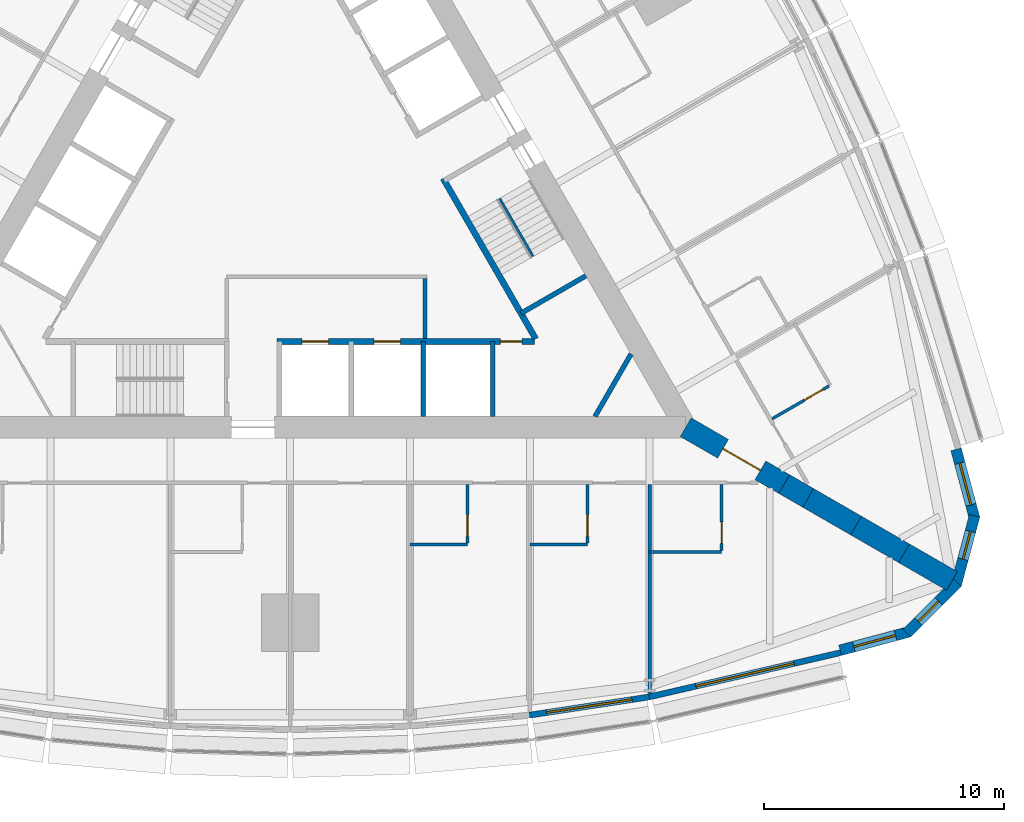
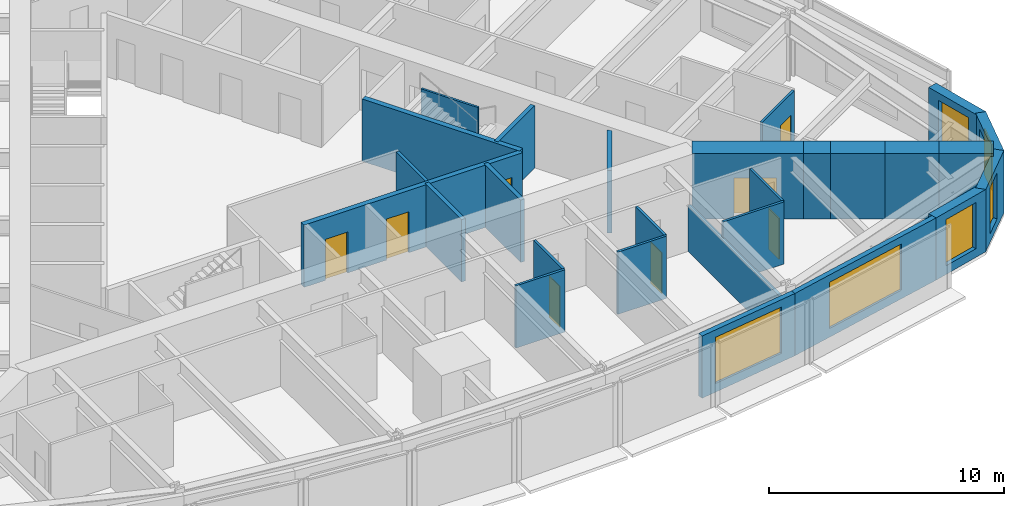
# One storey, part 10 of 14: 27 walls, 8 doors, 6 windows, 14 openings.
"""IFC4 building model written with IfcOpenShell, lengths in metres."""

from ifc_helpers import new_model, si_unit, direction, frame, frame_2d, origin, place, context, subcontext, project, spatial, polyline, rectangle, outline, extrude, material, layer, layer_set, type_object, element, fill, save


model = new_model("IFC4")

# Units and contexts
model_context = context("Model", 3, precision=1e-05, world=origin(), true_north=direction((0.0, 1.0)))
body_context = subcontext(model_context, "Body", "Model", "MODEL_VIEW")
ifc_project = project(units=[si_unit("LENGTHUNIT", "METRE"), si_unit("AREAUNIT", "SQUARE_METRE"), si_unit("VOLUMEUNIT", "CUBIC_METRE"), si_unit("PLANEANGLEUNIT", "RADIAN"), si_unit("MASSUNIT", "GRAM", prefix="KILO")], contexts=[model_context])

# Site, building, storey
site_placement = place(None, origin())
site = spatial("IfcSite", under=ifc_project, at=site_placement, CompositionType="ELEMENT")
building_placement = place(site_placement, origin())
building = spatial("IfcBuilding", under=site, at=building_placement, Name="Trikona Tower", CompositionType="ELEMENT")
storey_placement = place(building_placement, frame((0.0, 0.0, 86.300048828125)))
storey = spatial("IfcBuildingStorey", under=building, at=storey_placement, Name="L22", CompositionType="ELEMENT", Elevation=86.300048828125)

# Wall
ifc_material_1 = material(Name="Metal stud and cement board", Category="gypsum")
ifc_layer_1 = layer(ifc_material_1, 0.1201171875)
ifc_layer_set_1 = layer_set([ifc_layer_1], Name="Bathroom wall 120")
wall_type_1 = type_object("IfcWallType", Name="Bathroom wall 120", PredefinedType="PLUMBINGWALL", material=ifc_layer_set_1)
wall_1_placement = place(storey_placement, frame((5.0, -14.42626953125, 0.0), z_axis=(0.0, 0.0, 1.0), x_axis=(1.0, 0.0, 0.0)))
element("IfcWall", 1, at=wall_1_placement, inside=storey, type_object=wall_type_1, Name="Bathroom wall 2204", PredefinedType="PLUMBINGWALL", context=body_context, shape_type="SweptSolid", body=[
    extrude(rectangle(XDim=2.39990234375, YDim=0.1201171875, at=frame_2d((1.199951171875, 0.0))), origin(), (0.0, 0.0, 1.0), 3.23486328125),
])

# Wall, opening, door
wall_2_placement = place(storey_placement, frame((7.39990234375, -11.92626953125, 0.0), z_axis=(0.0, 0.0, 1.0), x_axis=(0.0, -1.0, 0.0)))
wall_2 = element("IfcWall", 2, at=wall_2_placement, inside=storey, type_object=wall_type_1, Name="Bathroom wall 2204", PredefinedType="PLUMBINGWALL", context=body_context, shape_type="SweptSolid", body=[
    extrude(rectangle(XDim=2.43994140625, YDim=0.1201171875, at=frame_2d((1.219970703125, 0.0))), origin(), (0.0, 0.0, 1.0), 3.23486328125),
])
opening_1_placement = place(wall_2_placement, frame((1.25, 0.0, 0.0)))
opening_1 = element("IfcOpeningElement", 3, at=opening_1_placement, cuts=wall_2, Name="Opening D2", PredefinedType="OPENING", context=body_context, shape_type="SweptSolid", body=[
    extrude(rectangle(XDim=0.89990234375, YDim=2.1298828125, at=frame_2d((0.449951171875, 1.06494140625))), frame((0.0, 0.070068359375, 0.0), z_axis=(0.0, -1.0, 0.0), x_axis=(1.0, 0.0, 0.0)), (0.0, 0.0, 1.0), 0.14013671875),
])
ifc_material_2 = material(Name="Steel door frame with solid-core timber leaf", Category="steel")
door_type_1 = type_object("IfcDoorType", Name="Bathroom door 900x2130", OperationType="SLIDING_TO_LEFT", PredefinedType="DOOR", material=ifc_material_2)
door_1_placement = place(opening_1_placement, origin())
door_1 = element("IfcDoor", 4, at=door_1_placement, inside=storey, type_object=door_type_1, Name="Bathroom door 2204", OperationType="SLIDING_TO_LEFT", OverallHeight=2.1298828125, OverallWidth=0.89990234375, PredefinedType="DOOR", context=body_context, shape_type="SweptSolid", body=[
    extrude(rectangle(XDim=0.89990234375, YDim=2.1298828125, at=frame_2d((0.449951171875, 1.06494140625))), frame((0.0, 0.02490234375, 0.0), z_axis=(0.0, -1.0, 0.0), x_axis=(1.0, 0.0, 0.0)), (0.0, 0.0, 1.0), 0.050048828125),
])
fill(opening_1, door_1)

# Wall
wall_3_placement = place(storey_placement, frame((10.0, -14.42626953125, 0.0), z_axis=(0.0, 0.0, 1.0), x_axis=(1.0, 0.0, 0.0)))
element("IfcWall", 5, at=wall_3_placement, inside=storey, type_object=wall_type_1, Name="Bathroom wall 2205", PredefinedType="PLUMBINGWALL", context=body_context, shape_type="SweptSolid", body=[
    extrude(rectangle(XDim=2.39990234375, YDim=0.1201171875, at=frame_2d((1.199951171875, 0.0))), origin(), (0.0, 0.0, 1.0), 3.23486328125),
])

# Wall, opening, door
wall_4_placement = place(storey_placement, frame((12.39990234375, -11.92626953125, 0.0), z_axis=(0.0, 0.0, 1.0), x_axis=(0.0, -1.0, 0.0)))
wall_4 = element("IfcWall", 6, at=wall_4_placement, inside=storey, type_object=wall_type_1, Name="Bathroom wall 2205", PredefinedType="PLUMBINGWALL", context=body_context, shape_type="SweptSolid", body=[
    extrude(rectangle(XDim=2.43994140625, YDim=0.1201171875, at=frame_2d((1.219970703125, 0.0))), origin(), (0.0, 0.0, 1.0), 3.23486328125),
])
opening_2_placement = place(wall_4_placement, frame((1.25, 0.0, 0.0)))
opening_2 = element("IfcOpeningElement", 7, at=opening_2_placement, cuts=wall_4, Name="Opening D2", PredefinedType="OPENING", context=body_context, shape_type="SweptSolid", body=[
    extrude(rectangle(XDim=0.89990234375, YDim=2.1298828125, at=frame_2d((0.449951171875, 1.06494140625))), frame((0.0, 0.070068359375, 0.0), z_axis=(0.0, -1.0, 0.0), x_axis=(1.0, 0.0, 0.0)), (0.0, 0.0, 1.0), 0.14013671875),
])
door_2_placement = place(opening_2_placement, origin())
door_2 = element("IfcDoor", 8, at=door_2_placement, inside=storey, type_object=door_type_1, Name="Bathroom door 2205", OperationType="SLIDING_TO_LEFT", OverallHeight=2.1298828125, OverallWidth=0.89990234375, PredefinedType="DOOR", context=body_context, shape_type="SweptSolid", body=[
    extrude(rectangle(XDim=0.89990234375, YDim=2.1298828125, at=frame_2d((0.449951171875, 1.06494140625))), frame((0.0, 0.02490234375, 0.0), z_axis=(0.0, -1.0, 0.0), x_axis=(1.0, 0.0, 0.0)), (0.0, 0.0, 1.0), 0.050048828125),
])
fill(opening_2, door_2)

# Wall
wall_5_placement = place(storey_placement, frame((15.0, -14.726318359375, 0.0), z_axis=(0.0, 0.0, 1.0), x_axis=(1.0, 0.0, 0.0)))
element("IfcWall", 9, at=wall_5_placement, inside=storey, type_object=wall_type_1, Name="Bathroom wall 2206", PredefinedType="PLUMBINGWALL", context=body_context, shape_type="SweptSolid", body=[
    extrude(rectangle(XDim=3.0, YDim=0.1201171875, at=frame_2d((1.5, 0.0))), origin(), (0.0, 0.0, 1.0), 3.23486328125),
])

# Wall, opening, door
wall_6_placement = place(storey_placement, frame((18.0, -11.92626953125, 0.0), z_axis=(0.0, 0.0, 1.0), x_axis=(0.0, -1.0, 0.0)))
wall_6 = element("IfcWall", 10, at=wall_6_placement, inside=storey, type_object=wall_type_1, Name="Bathroom wall 2206", PredefinedType="PLUMBINGWALL", context=body_context, shape_type="SweptSolid", body=[
    extrude(rectangle(XDim=2.739990234375, YDim=0.1201171875, at=frame_2d((1.3701171875, 0.0))), origin(), (0.0, 0.0, 1.0), 3.23486328125),
])
opening_3_placement = place(wall_6_placement, frame((1.550048828125, 0.0, 0.0)))
opening_3 = element("IfcOpeningElement", 11, at=opening_3_placement, cuts=wall_6, Name="Opening D2", PredefinedType="OPENING", context=body_context, shape_type="SweptSolid", body=[
    extrude(rectangle(XDim=0.89990234375, YDim=2.1298828125, at=frame_2d((0.449951171875, 1.06494140625))), frame((0.0, 0.070068359375, 0.0), z_axis=(0.0, -1.0, 0.0), x_axis=(1.0, 0.0, 0.0)), (0.0, 0.0, 1.0), 0.14013671875),
])
door_3_placement = place(opening_3_placement, origin())
door_3 = element("IfcDoor", 12, at=door_3_placement, inside=storey, type_object=door_type_1, Name="Bathroom door 2206", OperationType="SLIDING_TO_LEFT", OverallHeight=2.1298828125, OverallWidth=0.89990234375, PredefinedType="DOOR", context=body_context, shape_type="SweptSolid", body=[
    extrude(rectangle(XDim=0.89990234375, YDim=2.1298828125, at=frame_2d((0.449951171875, 1.06494140625))), frame((0.0, 0.02490234375, 0.0), z_axis=(0.0, -1.0, 0.0), x_axis=(1.0, 0.0, 0.0)), (0.0, 0.0, 1.0), 0.050048828125),
])
fill(opening_3, door_3)

wall_7_placement = place(storey_placement, frame((20.10791015625, -9.17529296875, 0.0), z_axis=(0.0, 0.0, 1.0), x_axis=(0.866035715982, 0.499982138324, 0.0)))
wall_7 = element("IfcWall", 13, at=wall_7_placement, inside=storey, type_object=wall_type_1, Name="Bathroom wall 2207", PredefinedType="PLUMBINGWALL", context=body_context, shape_type="SweptSolid", body=[
    extrude(rectangle(XDim=2.73974609375, YDim=0.1201171875, at=frame_2d((1.369873046875, 0.0))), origin(), (0.0, 0.0, 1.0), 3.23486328125),
])
opening_4_placement = place(wall_7_placement, frame((1.550048828125, 0.0, 0.0)))
opening_4 = element("IfcOpeningElement", 14, at=opening_4_placement, cuts=wall_7, Name="Opening D2", PredefinedType="OPENING", context=body_context, shape_type="SweptSolid", body=[
    extrude(rectangle(XDim=0.89990234375, YDim=2.1298828125, at=frame_2d((0.449951171875, 1.06494140625))), frame((0.0, 0.070068359375, 0.0), z_axis=(0.0, -1.0, 0.0), x_axis=(1.0, 0.0, 0.0)), (0.0, 0.0, 1.0), 0.14013671875),
])
door_4_placement = place(opening_4_placement, origin())
door_4 = element("IfcDoor", 15, at=door_4_placement, inside=storey, type_object=door_type_1, Name="Bathroom door 2207", OperationType="SLIDING_TO_LEFT", OverallHeight=2.1298828125, OverallWidth=0.89990234375, PredefinedType="DOOR", context=body_context, shape_type="SweptSolid", body=[
    extrude(rectangle(XDim=0.89990234375, YDim=2.1298828125, at=frame_2d((0.449951171875, 1.06494140625))), frame((0.0, 0.02490234375, 0.0), z_axis=(0.0, -1.0, 0.0), x_axis=(1.0, 0.0, 0.0)), (0.0, 0.0, 1.0), 0.050048828125),
])
fill(opening_4, door_4)

# Wall, opening, window
ifc_material_3 = material(Name="Brick-faced precast concrete", Category="masonry")
ifc_layer_2 = layer(ifc_material_3, 0.449951171875)
ifc_layer_set_2 = layer_set([ifc_layer_2], Name="Brick-faced corner wall 450")
wall_type_2 = type_object("IfcWallType", Name="Brick-faced corner wall 450", PredefinedType="SOLIDWALL", material=ifc_layer_set_2)
wall_8_placement = place(storey_placement, frame((22.94189453125, -18.835205078125, 0.0), z_axis=(0.0, 0.0, 1.0), x_axis=(0.965930548995, 0.258801419081, 0.0)))
wall_8 = element("IfcWall", 16, at=wall_8_placement, inside=storey, type_object=wall_type_2, Name="External wall L22-08", PredefinedType="SOLIDWALL", context=body_context, shape_type="SweptSolid", body=[
    extrude(rectangle(XDim=2.988525390625, YDim=0.449951171875, at=frame_2d((1.494140625, 0.0))), origin(), (0.0, 0.0, 1.0), 3.23486328125),
])
opening_5_placement = place(wall_8_placement, frame((0.59423828125, 0.0, 0.449951171875)))
opening_5 = element("IfcOpeningElement", 17, at=opening_5_placement, cuts=wall_8, Name="Opening W1824", PredefinedType="OPENING", context=body_context, shape_type="SweptSolid", body=[
    extrude(rectangle(XDim=1.800048828125, YDim=2.39990234375, at=frame_2d((0.89990234375, 1.199951171875))), frame((0.0, 0.23486328125, 0.0), z_axis=(0.0, -1.0, 0.0), x_axis=(1.0, 0.0, 0.0)), (0.0, 0.0, 1.0), 0.469970703125),
])
ifc_material_4 = material(Name="Aluminium-framed double glazing", Category="aluminium")
window_type_1 = type_object("IfcWindowType", Name="Window 1800x2400", PartitioningType="SINGLE_PANEL", PredefinedType="WINDOW", material=ifc_material_4)
window_1_placement = place(opening_5_placement, origin())
window_1 = element("IfcWindow", 18, at=window_1_placement, inside=storey, type_object=window_type_1, Name="Window 2206", OverallHeight=2.39990234375, OverallWidth=1.800048828125, PartitioningType="SINGLE_PANEL", PredefinedType="WINDOW", context=body_context, shape_type="SweptSolid", body=[
    extrude(rectangle(XDim=1.800048828125, YDim=2.39990234375, at=frame_2d((0.89990234375, 1.199951171875))), frame((0.0, 0.030029296875, 0.0), z_axis=(0.0, -1.0, 0.0), x_axis=(1.0, 0.0, 0.0)), (0.0, 0.0, 1.0), 0.06005859375),
])
fill(opening_5, window_1)

wall_9_placement = place(storey_placement, frame((25.727783203125, -18.1201171875, 0.0), z_axis=(0.0, 0.0, 1.0), x_axis=(0.707025086683, 0.707188466253, 0.0)))
wall_9 = element("IfcWall", 19, at=wall_9_placement, inside=storey, type_object=wall_type_2, Name="External wall L22-09", PredefinedType="SOLIDWALL", context=body_context, shape_type="SweptSolid", body=[
    extrude(outline(polyline([(2.988525390625, 0.22509765625), (2.929931640625, 0.22509765625), (2.4375, 0.093017578125), (2.402099609375, 0.22509765625), (0.0, 0.22509765625), (0.0, -0.22509765625), (2.988525390625, -0.22509765625), (2.988525390625, 0.22509765625)])), origin(), (0.0, 0.0, 1.0), 3.23486328125),
])
opening_6_placement = place(wall_9_placement, frame((0.676025390625, 0.0, 0.449951171875)))
opening_6 = element("IfcOpeningElement", 20, at=opening_6_placement, cuts=wall_9, Name="Opening W1224", PredefinedType="OPENING", context=body_context, shape_type="SweptSolid", body=[
    extrude(rectangle(XDim=1.199951171875, YDim=2.39990234375, at=frame_2d((0.60009765625, 1.199951171875))), frame((0.0, 0.23486328125, 0.0), z_axis=(0.0, -1.0, 0.0), x_axis=(1.0, 0.0, 0.0)), (0.0, 0.0, 1.0), 0.469970703125),
])
ifc_material_5 = material(Name="Aluminium-framed double glazing", Category="aluminium")
window_type_2 = type_object("IfcWindowType", Name="Window 1200x2400", PartitioningType="SINGLE_PANEL", PredefinedType="WINDOW", material=ifc_material_5)
window_2_placement = place(opening_6_placement, origin())
window_2 = element("IfcWindow", 21, at=window_2_placement, inside=storey, type_object=window_type_2, Name="Window 2206", OverallHeight=2.39990234375, OverallWidth=1.199951171875, PartitioningType="SINGLE_PANEL", PredefinedType="WINDOW", context=body_context, shape_type="SweptSolid", body=[
    extrude(rectangle(XDim=1.199951171875, YDim=2.39990234375, at=frame_2d((0.60009765625, 1.199951171875))), frame((0.0, 0.030029296875, 0.0), z_axis=(0.0, -1.0, 0.0), x_axis=(1.0, 0.0, 0.0)), (0.0, 0.0, 1.0), 0.06005859375),
])
fill(opening_6, window_2)

wall_10_placement = place(storey_placement, frame((27.78271484375, -16.107666015625, 0.0), z_axis=(0.0, 0.0, 1.0), x_axis=(0.258801419081, 0.965930548995, 0.0)))
wall_10 = element("IfcWall", 22, at=wall_10_placement, inside=storey, type_object=wall_type_2, Name="External wall L22-10", PredefinedType="SOLIDWALL", context=body_context, shape_type="SweptSolid", body=[
    extrude(outline(polyline([(2.988525390625, 0.22509765625), (0.58642578125, 0.22509765625), (0.55126953125, 0.09326171875), (0.0595703125, 0.22509765625), (0.0, 0.22509765625), (0.0, -0.22509765625), (2.988525390625, -0.22509765625), (2.988525390625, 0.22509765625)])), origin(), (0.0, 0.0, 1.0), 3.23486328125),
])
opening_7_placement = place(wall_10_placement, frame((1.112548828125, 0.0, 0.449951171875)))
opening_7 = element("IfcOpeningElement", 23, at=opening_7_placement, cuts=wall_10, Name="Opening W1224", PredefinedType="OPENING", context=body_context, shape_type="SweptSolid", body=[
    extrude(rectangle(XDim=1.199951171875, YDim=2.39990234375, at=frame_2d((0.60009765625, 1.199951171875))), frame((0.0, 0.23486328125, 0.0), z_axis=(0.0, -1.0, 0.0), x_axis=(1.0, 0.0, 0.0)), (0.0, 0.0, 1.0), 0.469970703125),
])
window_3_placement = place(opening_7_placement, origin())
window_3 = element("IfcWindow", 24, at=window_3_placement, inside=storey, type_object=window_type_2, Name="Window 2207", OverallHeight=2.39990234375, OverallWidth=1.199951171875, PartitioningType="SINGLE_PANEL", PredefinedType="WINDOW", context=body_context, shape_type="SweptSolid", body=[
    extrude(rectangle(XDim=1.199951171875, YDim=2.39990234375, at=frame_2d((0.60009765625, 1.199951171875))), frame((0.0, 0.030029296875, 0.0), z_axis=(0.0, -1.0, 0.0), x_axis=(1.0, 0.0, 0.0)), (0.0, 0.0, 1.0), 0.06005859375),
])
fill(opening_7, window_3)

wall_11_placement = place(storey_placement, frame((28.55615234375, -13.33740234375, 0.0), z_axis=(0.0, 0.0, 1.0), x_axis=(-0.258780998834, 0.965936019953, 0.0)))
wall_11 = element("IfcWall", 25, at=wall_11_placement, inside=storey, type_object=wall_type_2, Name="External wall L22-11", PredefinedType="SOLIDWALL", context=body_context, shape_type="SweptSolid", body=[
    extrude(rectangle(XDim=2.98876953125, YDim=0.449951171875, at=frame_2d((1.494384765625, 0.0))), origin(), (0.0, 0.0, 1.0), 3.23486328125),
])
opening_8_placement = place(wall_11_placement, frame((0.59423828125, 0.0, 0.449951171875)))
opening_8 = element("IfcOpeningElement", 26, at=opening_8_placement, cuts=wall_11, Name="Opening W1824", PredefinedType="OPENING", context=body_context, shape_type="SweptSolid", body=[
    extrude(rectangle(XDim=1.800048828125, YDim=2.39990234375, at=frame_2d((0.89990234375, 1.199951171875))), frame((0.0, 0.23486328125, 0.0), z_axis=(0.0, -1.0, 0.0), x_axis=(1.0, 0.0, 0.0)), (0.0, 0.0, 1.0), 0.469970703125),
])
window_4_placement = place(opening_8_placement, origin())
window_4 = element("IfcWindow", 27, at=window_4_placement, inside=storey, type_object=window_type_1, Name="Window 2207", OverallHeight=2.39990234375, OverallWidth=1.800048828125, PartitioningType="SINGLE_PANEL", PredefinedType="WINDOW", context=body_context, shape_type="SweptSolid", body=[
    extrude(rectangle(XDim=1.800048828125, YDim=2.39990234375, at=frame_2d((0.89990234375, 1.199951171875))), frame((0.0, 0.030029296875, 0.0), z_axis=(0.0, -1.0, 0.0), x_axis=(1.0, 0.0, 0.0)), (0.0, 0.0, 1.0), 0.06005859375),
])
fill(opening_8, window_4)

# Wall, opening, door
ifc_material_6 = material(Name="Concrete f'c 10000 psi", Category="concrete")
ifc_layer_3 = layer(ifc_material_6, 0.89990234375)
ifc_layer_set_3 = layer_set([ifc_layer_3], Name="Buttress wall 900")
wall_type_3 = type_object("IfcWallType", Name="Buttress wall 900", PredefinedType="SHEAR", material=ifc_layer_set_3)
wall_12_placement = place(storey_placement, frame((16.5, -9.5263671875, 0.0), z_axis=(0.0, 0.0, 1.0), x_axis=(0.866031398331, -0.499989616998, 0.0)))
wall_12 = element("IfcWall", 28, at=wall_12_placement, inside=storey, type_object=wall_type_3, Name="Buttress wall 1", PredefinedType="SHEAR", context=body_context, shape_type="SweptSolid", body=[
    extrude(rectangle(XDim=4.74609375, YDim=0.89990234375, at=frame_2d((2.373046875, 0.0))), origin(), (0.0, 0.0, 1.0), 3.39990234375),
])
opening_9_placement = place(wall_12_placement, frame((1.800048828125, 0.0, 0.0)))
opening_9 = element("IfcOpeningElement", 29, at=opening_9_placement, cuts=wall_12, Name="Opening D10", PredefinedType="OPENING", context=body_context, shape_type="SweptSolid", body=[
    extrude(rectangle(XDim=1.800048828125, YDim=2.1298828125, at=frame_2d((0.89990234375, 1.06494140625))), frame((0.0, 0.4599609375, 0.0), z_axis=(0.0, -1.0, 0.0), x_axis=(1.0, 0.0, 0.0)), (0.0, 0.0, 1.0), 0.919921875),
])
ifc_material_7 = material(Name="Hollow metal door and frame", Category="steel")
door_type_2 = type_object("IfcDoorType", Name="Cross-corridor door pair 1800x2130", OperationType="DOUBLE_DOOR_DOUBLE_SWING", PredefinedType="DOOR", material=ifc_material_7)
door_5_placement = place(opening_9_placement, origin())
door_5 = element("IfcDoor", 30, at=door_5_placement, inside=storey, type_object=door_type_2, Name="Cross-corridor door 1", OperationType="DOUBLE_DOOR_DOUBLE_SWING", OverallHeight=2.1298828125, OverallWidth=1.800048828125, PredefinedType="DOOR", context=body_context, shape_type="SweptSolid", body=[
    extrude(rectangle(XDim=1.800048828125, YDim=2.1298828125, at=frame_2d((0.89990234375, 1.06494140625))), frame((0.0, 0.02490234375, 0.0), z_axis=(0.0, -1.0, 0.0), x_axis=(1.0, 0.0, 0.0)), (0.0, 0.0, 1.0), 0.050048828125),
])
fill(opening_9, door_5)

# Walls
wall_13_placement = place(storey_placement, frame((20.6103515625, -11.8994140625, 0.0), z_axis=(0.0, 0.0, 1.0), x_axis=(0.866009537788, -0.500027479704, 0.0)))
element("IfcWall", 31, at=wall_13_placement, inside=storey, type_object=wall_type_3, Name="Buttress wall 1 part 2", PredefinedType="SHEAR", context=body_context, shape_type="SweptSolid", body=[
    extrude(rectangle(XDim=1.15478515625, YDim=0.89990234375, at=frame_2d((0.577392578125, 0.0))), origin(), (0.0, 0.0, 1.0), 3.39990234375),
])
for number, where, z_axis, x_axis, name in (
    (32, (21.6103515625, -12.476806640625, 0.0), (0.0, 0.0, 1.0), (0.866055313784, -0.499948190782, 0.0), "Buttress wall 1 part 3"),
    (33, (23.6103515625, -13.63134765625, 0.0), (0.0, 0.0, 1.0), (0.866009537788, -0.500027479704, 0.0), "Buttress wall 1 part 4"),
    (34, (25.6103515625, -14.7861328125, 0.0), (0.0, 0.0, 1.0), (0.866009537788, -0.500027479704, 0.0), "Buttress wall 1 part 5"),
):
    element("IfcWall", number, at=place(storey_placement, frame(where, z_axis=z_axis, x_axis=x_axis)), inside=storey, type_object=wall_type_3, Name=name, PredefinedType="SHEAR", context=body_context, shape_type="SweptSolid", body=[
        extrude(rectangle(XDim=2.309326171875, YDim=0.89990234375, at=frame_2d((1.15478515625, 0.0))), origin(), (0.0, 0.0, 1.0), 3.39990234375),
    ])

# Wall, openings, doors
ifc_material_8 = material(Name="Concrete f'c 8000 psi", Category="concrete")
ifc_layer_4 = layer(ifc_material_8, 0.25)
ifc_layer_set_4 = layer_set([ifc_layer_4], Name="Hub wall 250")
wall_type_4 = type_object("IfcWallType", Name="Hub wall 250", PredefinedType="SOLIDWALL", material=ifc_layer_set_4)
wall_14_placement = place(storey_placement, frame((-0.550048828125, -5.951416015625, 0.0), z_axis=(0.0, 0.0, 1.0), x_axis=(1.0, 0.0, 0.0)))
wall_14 = element("IfcWall", 35, at=wall_14_placement, inside=storey, type_object=wall_type_4, Name="Lift lobby wall A2", PredefinedType="SOLIDWALL", context=body_context, shape_type="SweptSolid", body=[
    extrude(rectangle(XDim=10.73291015625, YDim=0.25, at=frame_2d((5.366455078125, 0.0))), origin(), (0.0, 0.0, 1.0), 3.23486328125),
])
opening_10_placement = place(wall_14_placement, frame((9.31396484375, 0.0, 0.0)))
opening_10 = element("IfcOpeningElement", 36, at=opening_10_placement, cuts=wall_14, Name="Opening D14", PredefinedType="OPENING", context=body_context, shape_type="SweptSolid", body=[
    extrude(rectangle(XDim=0.89990234375, YDim=2.1298828125, at=frame_2d((0.449951171875, 1.06494140625))), frame((0.0, 0.135009765625, 0.0), z_axis=(0.0, -1.0, 0.0), x_axis=(1.0, 0.0, 0.0)), (0.0, 0.0, 1.0), 0.27001953125),
])
opening_11_placement = place(wall_14_placement, frame((1.050048828125, 0.0, 0.0)))
opening_11 = element("IfcOpeningElement", 37, at=opening_11_placement, cuts=wall_14, Name="Opening LD", PredefinedType="OPENING", context=body_context, shape_type="SweptSolid", body=[
    extrude(rectangle(XDim=1.10009765625, YDim=2.1298828125, at=frame_2d((0.550048828125, 1.06494140625))), frame((0.0, 0.135009765625, 0.0), z_axis=(0.0, -1.0, 0.0), x_axis=(1.0, 0.0, 0.0)), (0.0, 0.0, 1.0), 0.27001953125),
])
opening_12_placement = place(wall_14_placement, frame((4.050048828125, 0.0, 0.0)))
opening_12 = element("IfcOpeningElement", 38, at=opening_12_placement, cuts=wall_14, Name="Opening LD", PredefinedType="OPENING", context=body_context, shape_type="SweptSolid", body=[
    extrude(rectangle(XDim=1.10009765625, YDim=2.1298828125, at=frame_2d((0.550048828125, 1.06494140625))), frame((0.0, 0.135009765625, 0.0), z_axis=(0.0, -1.0, 0.0), x_axis=(1.0, 0.0, 0.0)), (0.0, 0.0, 1.0), 0.27001953125),
])
ifc_material_9 = material(Name="Stainless steel lift landing door", Category="steel")
door_type_3 = type_object("IfcDoorType", Name="Lift landing door 1100x2130", OperationType="DOUBLE_DOOR_SLIDING", PredefinedType="USERDEFINED", material=ifc_material_9)
door_6_placement = place(opening_11_placement, origin())
door_6 = element("IfcDoor", 39, at=door_6_placement, inside=storey, type_object=door_type_3, Name="Lift landing door FF1", ObjectType="LIFT LANDING DOOR", OperationType="DOUBLE_DOOR_SLIDING", OverallHeight=2.1298828125, OverallWidth=1.10009765625, PredefinedType="USERDEFINED", context=body_context, shape_type="SweptSolid", body=[
    extrude(rectangle(XDim=1.10009765625, YDim=2.1298828125, at=frame_2d((0.550048828125, 1.06494140625))), frame((0.0, 0.02490234375, 0.0), z_axis=(0.0, -1.0, 0.0), x_axis=(1.0, 0.0, 0.0)), (0.0, 0.0, 1.0), 0.050048828125),
])
fill(opening_11, door_6)
door_7_placement = place(opening_12_placement, origin())
door_7 = element("IfcDoor", 40, at=door_7_placement, inside=storey, type_object=door_type_3, Name="Lift landing door FF2", ObjectType="LIFT LANDING DOOR", OperationType="DOUBLE_DOOR_SLIDING", OverallHeight=2.1298828125, OverallWidth=1.10009765625, PredefinedType="USERDEFINED", context=body_context, shape_type="SweptSolid", body=[
    extrude(rectangle(XDim=1.10009765625, YDim=2.1298828125, at=frame_2d((0.550048828125, 1.06494140625))), frame((0.0, 0.02490234375, 0.0), z_axis=(0.0, -1.0, 0.0), x_axis=(1.0, 0.0, 0.0)), (0.0, 0.0, 1.0), 0.050048828125),
])
fill(opening_12, door_7)
ifc_material_10 = material(Name="Hollow metal door and frame", Category="steel")
door_type_4 = type_object("IfcDoorType", Name="Service room door 900x2130", OperationType="SINGLE_SWING_LEFT", PredefinedType="DOOR", material=ifc_material_10)
door_8_placement = place(opening_10_placement, origin())
door_8 = element("IfcDoor", 41, at=door_8_placement, inside=storey, type_object=door_type_4, Name="Door Housekeeping store HKS", OperationType="SINGLE_SWING_RIGHT", OverallHeight=2.1298828125, OverallWidth=0.89990234375, PredefinedType="DOOR", context=body_context, shape_type="SweptSolid", body=[
    extrude(rectangle(XDim=0.89990234375, YDim=2.1298828125, at=frame_2d((0.449951171875, 1.06494140625))), frame((0.0, 0.02490234375, 0.0), z_axis=(0.0, -1.0, 0.0), x_axis=(1.0, 0.0, 0.0)), (0.0, 0.0, 1.0), 0.050048828125),
])
fill(opening_10, door_8)

# Wall
wall_15_placement = place(storey_placement, frame((10.245361328125, -5.843017578125, 0.0), z_axis=(0.0, 0.0, 1.0), x_axis=(-0.499993009313, 0.866029439822, 0.0)))
element("IfcWall", 42, at=wall_15_placement, inside=storey, type_object=wall_type_4, Name="Lift lobby wall B1", PredefinedType="SOLIDWALL", context=body_context, shape_type="SweptSolid", body=[
    extrude(rectangle(XDim=7.73291015625, YDim=0.25, at=frame_2d((3.866455078125, 0.0))), origin(), (0.0, 0.0, 1.0), 3.23486328125),
])

# Wall, opening, window
ifc_material_11 = material(Name="Insulated precast concrete spandrel panel", Category="concrete")
ifc_layer_5 = layer(ifc_material_11, 0.25)
ifc_layer_set_5 = layer_set([ifc_layer_5], Name="Inner skin wall 250")
wall_type_5 = type_object("IfcWallType", Name="Inner skin wall 250", PredefinedType="STANDARD", material=ifc_layer_set_5)
wall_16_placement = place(storey_placement, frame((9.981201171875, -21.540283203125, 0.0), z_axis=(0.0, 0.0, 1.0), x_axis=(0.988615403399, 0.150464561152, 0.0)))
wall_16 = element("IfcWall", 43, at=wall_16_placement, inside=storey, type_object=wall_type_5, Name="External wall L22-06", PredefinedType="STANDARD", context=body_context, shape_type="SweptSolid", body=[
    extrude(rectangle(XDim=5.0576171875, YDim=0.25, at=frame_2d((2.52880859375, 0.0))), origin(), (0.0, 0.0, 1.0), 3.23486328125),
])
opening_13_placement = place(wall_16_placement, frame((0.728759765625, 0.0, 0.449951171875)))
opening_13 = element("IfcOpeningElement", 44, at=opening_13_placement, cuts=wall_16, Name="Opening W3624", PredefinedType="OPENING", context=body_context, shape_type="SweptSolid", body=[
    extrude(rectangle(XDim=3.60009765625, YDim=2.39990234375, at=frame_2d((1.800048828125, 1.199951171875))), frame((0.0, 0.135009765625, 0.0), z_axis=(0.0, -1.0, 0.0), x_axis=(1.0, 0.0, 0.0)), (0.0, 0.0, 1.0), 0.27001953125),
])
ifc_material_12 = material(Name="Aluminium-framed double glazing", Category="aluminium")
window_type_3 = type_object("IfcWindowType", Name="Window 3600x2400", PartitioningType="SINGLE_PANEL", PredefinedType="WINDOW", material=ifc_material_12)
window_5_placement = place(opening_13_placement, origin())
window_5 = element("IfcWindow", 45, at=window_5_placement, inside=storey, type_object=window_type_3, Name="Window 2205", OverallHeight=2.39990234375, OverallWidth=3.60009765625, PartitioningType="SINGLE_PANEL", PredefinedType="WINDOW", context=body_context, shape_type="SweptSolid", body=[
    extrude(rectangle(XDim=3.60009765625, YDim=2.39990234375, at=frame_2d((1.800048828125, 1.199951171875))), frame((0.0, 0.030029296875, 0.0), z_axis=(0.0, -1.0, 0.0), x_axis=(1.0, 0.0, 0.0)), (0.0, 0.0, 1.0), 0.06005859375),
])
fill(opening_13, window_5)

wall_17_placement = place(storey_placement, frame((14.9716796875, -20.78125, 0.0), z_axis=(0.0, 0.0, 1.0), x_axis=(0.974279327392, 0.225343720163, 0.0)))
wall_17 = element("IfcWall", 46, at=wall_17_placement, inside=storey, type_object=wall_type_5, Name="External wall L22-07", PredefinedType="STANDARD", context=body_context, shape_type="SweptSolid", body=[
    extrude(rectangle(XDim=8.211181640625, YDim=0.25, at=frame_2d((4.10546875, 0.0))), origin(), (0.0, 0.0, 1.0), 3.23486328125),
])
opening_14_placement = place(wall_17_placement, frame((2.005615234375, 0.0, 0.449951171875)))
opening_14 = element("IfcOpeningElement", 47, at=opening_14_placement, cuts=wall_17, Name="Opening W4224", PredefinedType="OPENING", context=body_context, shape_type="SweptSolid", body=[
    extrude(rectangle(XDim=4.199951171875, YDim=2.39990234375, at=frame_2d((2.10009765625, 1.199951171875))), frame((0.0, 0.135009765625, 0.0), z_axis=(0.0, -1.0, 0.0), x_axis=(1.0, 0.0, 0.0)), (0.0, 0.0, 1.0), 0.27001953125),
])
ifc_material_13 = material(Name="Aluminium-framed double glazing", Category="aluminium")
window_type_4 = type_object("IfcWindowType", Name="Window 4200x2400", PartitioningType="SINGLE_PANEL", PredefinedType="WINDOW", material=ifc_material_13)
window_6_placement = place(opening_14_placement, origin())
window_6 = element("IfcWindow", 48, at=window_6_placement, inside=storey, type_object=window_type_4, Name="Window 2206", OverallHeight=2.39990234375, OverallWidth=4.199951171875, PartitioningType="SINGLE_PANEL", PredefinedType="WINDOW", context=body_context, shape_type="SweptSolid", body=[
    extrude(rectangle(XDim=4.199951171875, YDim=2.39990234375, at=frame_2d((2.10009765625, 1.199951171875))), frame((0.0, 0.030029296875, 0.0), z_axis=(0.0, -1.0, 0.0), x_axis=(1.0, 0.0, 0.0)), (0.0, 0.0, 1.0), 0.06005859375),
])
fill(opening_14, window_6)

# Walls
ifc_material_14 = material(Name="Metal stud and gypsum board, 2-hour shaft wall", Category="gypsum")
ifc_layer_6 = layer(ifc_material_14, 0.14990234375)
ifc_layer_set_6 = layer_set([ifc_layer_6], Name="Lobby wall 150")
wall_type_6 = type_object("IfcWallType", Name="Lobby wall 150", PredefinedType="PARTITIONING", material=ifc_layer_set_6)
wall_18_placement = place(storey_placement, frame((5.625, -5.826416015625, 0.0), z_axis=(0.0, 0.0, 1.0), x_axis=(0.0, 1.0, 0.0)))
element("IfcWall", 49, at=wall_18_placement, inside=storey, type_object=wall_type_6, Name="Fire service lift lobby wall 3", PredefinedType="PARTITIONING", context=body_context, shape_type="SweptSolid", body=[
    extrude(rectangle(XDim=2.5, YDim=0.14990234375, at=frame_2d((1.25, 0.0))), origin(), (0.0, 0.0, 1.0), 3.23486328125),
])
ifc_material_15 = material(Name="Metal stud and gypsum board, 1-hour acoustic", Category="gypsum")
ifc_layer_7 = layer(ifc_material_15, 0.14990234375)
ifc_layer_set_7 = layer_set([ifc_layer_7], Name="Party wall 150")
wall_type_7 = type_object("IfcWallType", Name="Party wall 150", PredefinedType="PARTITIONING", material=ifc_layer_set_7)
wall_19_placement = place(storey_placement, frame((15.0, -11.92626953125, 0.0), z_axis=(0.0, 0.0, 1.0), x_axis=(0.0, -1.0, 0.0)))
element("IfcWall", 50, at=wall_19_placement, inside=storey, type_object=wall_type_7, Name="Partition L22 F1 u15", PredefinedType="PARTITIONING", context=body_context, shape_type="SweptSolid", body=[
    extrude(rectangle(XDim=8.72021484375, YDim=0.14990234375, at=frame_2d((4.360107421875, 0.0))), origin(), (0.0, 0.0, 1.0), 2.38916015625),
])
ifc_material_16 = material(Name="Concrete f'c 8000 psi", Category="concrete")
ifc_layer_8 = layer(ifc_material_16, 0.199951171875)
ifc_layer_set_8 = layer_set([ifc_layer_8], Name="Shaft wall 200")
wall_type_8 = type_object("IfcWallType", Name="Shaft wall 200", PredefinedType="SOLIDWALL", material=ifc_layer_set_8)
for number, where, z_axis, x_axis, name in (
    (51, (5.550048828125, -5.951416015625, 0.0), (0.0, 0.0, 1.0), (0.0, -1.0, 0.0), "Shaft wall A5"),
    (52, (8.449951171875, -5.951416015625, 0.0), (0.0, 0.0, 1.0), (0.0, -1.0, 0.0), "Shaft wall A6"),
):
    element("IfcWall", number, at=place(storey_placement, frame(where, z_axis=z_axis, x_axis=x_axis)), inside=storey, type_object=wall_type_8, Name=name, PredefinedType="SOLIDWALL", context=body_context, shape_type="SweptSolid", body=[
        extrude(rectangle(XDim=3.125, YDim=0.199951171875, at=frame_2d((1.5625, 0.0))), origin(), (0.0, 0.0, 1.0), 3.23486328125),
    ])
wall_20_placement = place(storey_placement, frame((14.219482421875, -6.476318359375, 0.0), z_axis=(0.0, 0.0, 1.0), x_axis=(-0.499952404951, -0.866052881055, 0.0)))
element("IfcWall", 53, at=wall_20_placement, inside=storey, type_object=wall_type_8, Name="Riser wall L22-RS1", PredefinedType="SOLIDWALL", context=body_context, shape_type="SweptSolid", body=[
    extrude(rectangle(XDim=3.002197265625, YDim=0.199951171875, at=frame_2d((1.5009765625, 0.0))), origin(), (0.0, 0.0, 1.0), 3.23486328125),
])
ifc_material_17 = material(Name="Concrete f'c 8000 psi", Category="concrete")
ifc_layer_9 = layer(ifc_material_17, 0.199951171875)
ifc_layer_set_9 = layer_set([ifc_layer_9], Name="Shaft wall 200 load-bearing")
wall_type_9 = type_object("IfcWallType", Name="Shaft wall 200 load-bearing", PredefinedType="SOLIDWALL", material=ifc_layer_set_9)
wall_21_placement = place(storey_placement, frame((9.62890625, -4.775390625, 0.0), z_axis=(0.0, 0.0, 1.0), x_axis=(0.866022959057, 0.500004234368, 0.0)))
element("IfcWall", 54, at=wall_21_placement, inside=storey, type_object=wall_type_9, Name="Shaft wall B1", PredefinedType="SOLIDWALL", context=body_context, shape_type="SweptSolid", body=[
    extrude(rectangle(XDim=3.125, YDim=0.199951171875, at=frame_2d((1.5625, 0.0))), origin(), (0.0, 0.0, 1.0), 3.23486328125),
])
ifc_material_18 = material(Name="Concrete f'c 5000 psi", Category="concrete")
ifc_layer_10 = layer(ifc_material_18, 0.10009765625)
ifc_layer_set_10 = layer_set([ifc_layer_10], Name="Stair spine wall 100")
wall_type_10 = type_object("IfcWallType", Name="Stair spine wall 100", PredefinedType="SOLIDWALL", material=ifc_layer_set_10)
wall_22_placement = place(storey_placement, frame((10.134765625, -2.4013671875, 0.0), z_axis=(0.0, 0.0, 1.0), x_axis=(-0.499992232847, 0.866029888106, 0.0)))
element("IfcWall", 55, at=wall_22_placement, inside=storey, type_object=wall_type_10, Name="Stair B spine wall L22", PredefinedType="SOLIDWALL", context=body_context, shape_type="SweptSolid", body=[
    extrude(rectangle(XDim=2.7939453125, YDim=0.10009765625, at=frame_2d((1.39697265625, 0.0))), origin(), (0.0, 0.0, 1.0), 3.39990234375),
])

save(model, "model.ifc")
